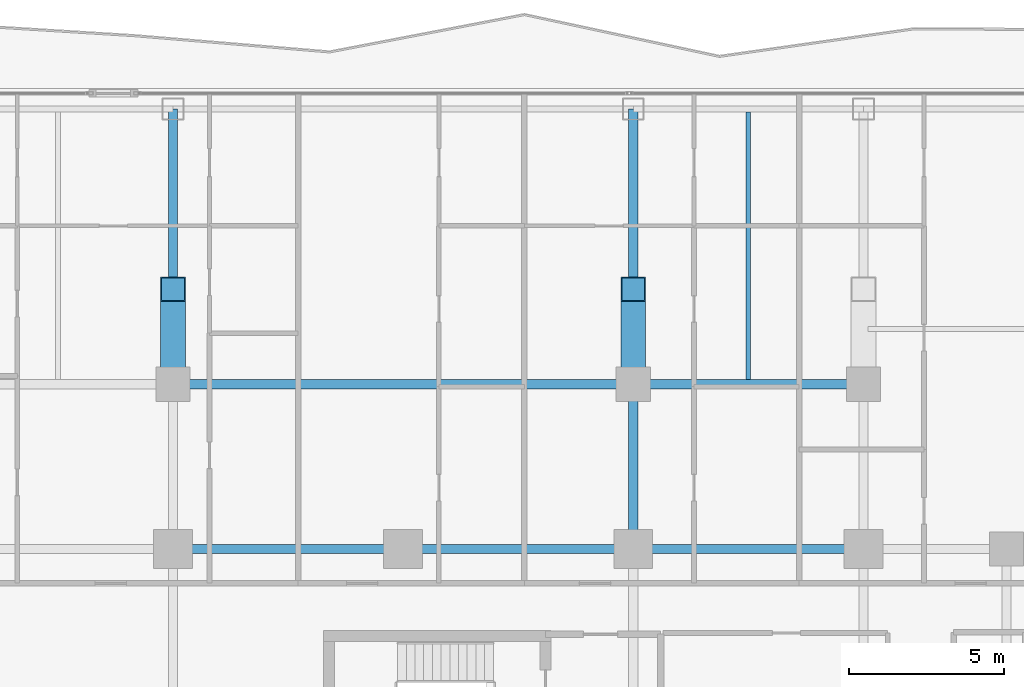
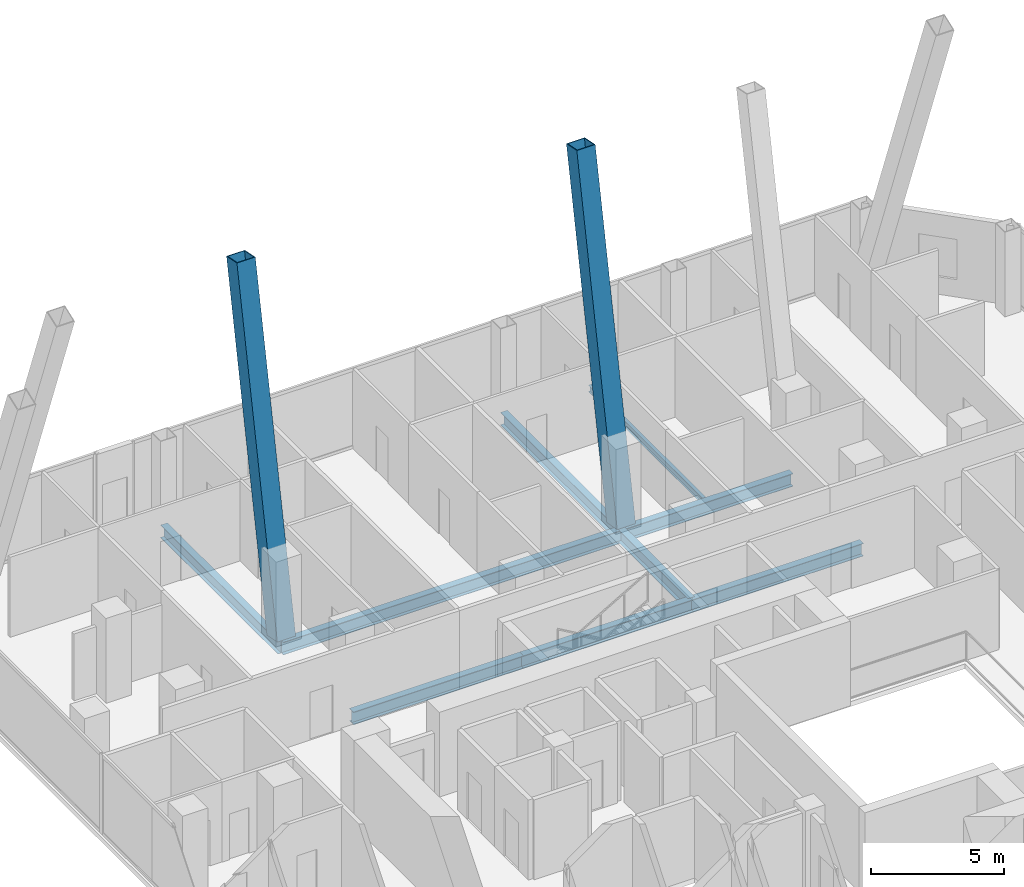
# One storey, part 15 of 28: 9 beams, 2 members.
"""IFC4 building model written with IfcOpenShell, lengths in metres."""

from ifc_helpers import new_model, si_unit, direction, frame, origin, origin_2d, place, context, subcontext, project, spatial, hollow_rectangle, i_section, extrude, material, material_profile, profile_set, type_object, element, save


model = new_model("IFC4")

# Units and contexts
model_context = context("Model", 3, precision=1e-05, world=origin(), true_north=direction((0.0, 1.0)))
body_context = subcontext(model_context, "Body", "Model", "MODEL_VIEW")
ifc_project = project(units=[si_unit("LENGTHUNIT", "METRE"), si_unit("AREAUNIT", "SQUARE_METRE"), si_unit("VOLUMEUNIT", "CUBIC_METRE"), si_unit("PLANEANGLEUNIT", "RADIAN"), si_unit("MASSUNIT", "GRAM", prefix="KILO")], contexts=[model_context])

# Site, building, storey
site_placement = place(None, origin())
site = spatial("IfcSite", under=ifc_project, at=site_placement, CompositionType="ELEMENT")
building_placement = place(site_placement, origin())
building = spatial("IfcBuilding", under=site, at=building_placement, Name="Khorvyn Point Tower", CompositionType="ELEMENT")
storey_placement = place(building_placement, frame((0.0, 0.0, 121.199951171875)))
storey = spatial("IfcBuildingStorey", under=building, at=storey_placement, Name="L30", CompositionType="ELEMENT", Elevation=121.199951171875)

# Beams
ifc_material_1 = material(Name="Steel S355", Category="steel")
ifc_material_profile_1 = material_profile(ifc_material_1, i_section(OverallWidth=0.300048828125, OverallDepth=0.587890625, WebThickness=0.011962890625, FlangeThickness=0.02001953125, at=origin_2d()))
ifc_profile_set_1 = profile_set([ifc_material_profile_1], Name="Steel S355 H588x300x12x20")
beam_type_1 = type_object("IfcBeamType", Name="Steel S355 Beam H588x300x12x20", PredefinedType="BEAM", material=ifc_profile_set_1)
for number, where, z_axis, x_axis, name in (
    (1, (-7.39990234375, 14.800048828125, -0.513916015625), (1.0, 0.0, 0.0), (0.0, 1.0, 0.0), "Beam"),
    (2, (0.0, 14.800048828125, -0.513916015625), (1.0, 0.0, 0.0), (0.0, 1.0, 0.0), "Beam"),
):
    element("IfcBeam", number, at=place(storey_placement, frame(where, z_axis=z_axis, x_axis=x_axis)), inside=storey, type_object=beam_type_1, Name=name, PredefinedType="BEAM", context=body_context, shape_type="SweptSolid", body=[
        extrude(i_section(OverallWidth=0.300048828125, OverallDepth=0.587890625, WebThickness=0.011962890625, FlangeThickness=0.02001953125, at=origin_2d()), origin(), (0.0, 0.0, 1.0), 7.39990234375),
    ])
beam_1_placement = place(storey_placement, frame((7.39990234375, 14.800048828125, -0.513916015625), z_axis=(1.0, 0.0, 0.0), x_axis=(0.0, 1.0, 0.0)))
element("IfcBeam", 3, at=beam_1_placement, inside=storey, type_object=beam_type_1, Name="Beam", PredefinedType="BEAM", context=body_context, shape_type="SweptSolid", body=[
    extrude(i_section(OverallWidth=0.300048828125, OverallDepth=0.587890625, WebThickness=0.011962890625, FlangeThickness=0.02001953125, at=origin_2d()), origin(), (0.0, 0.0, 1.0), 7.400146484375),
])
beam_2_placement = place(storey_placement, frame((-7.39990234375, 20.10009765625, -0.513916015625), z_axis=(1.0, 0.0, 0.0), x_axis=(0.0, 1.0, 0.0)))
element("IfcBeam", 4, at=beam_2_placement, inside=storey, type_object=beam_type_1, Name="Beam", PredefinedType="BEAM", context=body_context, shape_type="SweptSolid", body=[
    extrude(i_section(OverallWidth=0.300048828125, OverallDepth=0.587890625, WebThickness=0.011962890625, FlangeThickness=0.02001953125, at=origin_2d()), origin(), (0.0, 0.0, 1.0), 14.7998046875),
])
beam_3_placement = place(storey_placement, frame((7.39990234375, 20.10009765625, -0.513916015625), z_axis=(1.0, 0.0, 0.0), x_axis=(0.0, 1.0, 0.0)))
element("IfcBeam", 5, at=beam_3_placement, inside=storey, type_object=beam_type_1, Name="Beam", PredefinedType="BEAM", context=body_context, shape_type="SweptSolid", body=[
    extrude(i_section(OverallWidth=0.300048828125, OverallDepth=0.587890625, WebThickness=0.011962890625, FlangeThickness=0.02001953125, at=origin_2d()), origin(), (0.0, 0.0, 1.0), 7.400146484375),
])
beam_4_placement = place(storey_placement, frame((-7.39990234375, 20.10009765625, -0.513916015625), z_axis=(0.0, 1.0, 0.0), x_axis=(-1.0, 0.0, 0.0)))
element("IfcBeam", 6, at=beam_4_placement, inside=storey, type_object=beam_type_1, Name="Beam", PredefinedType="BEAM", context=body_context, shape_type="SweptSolid", body=[
    extrude(i_section(OverallWidth=0.300048828125, OverallDepth=0.587890625, WebThickness=0.011962890625, FlangeThickness=0.02001953125, at=origin_2d()), origin(), (0.0, 0.0, 1.0), 8.849853515625),
])
beam_5_placement = place(storey_placement, frame((7.39990234375, 14.800048828125, -0.513916015625), z_axis=(0.0, 1.0, 0.0), x_axis=(-1.0, 0.0, 0.0)))
element("IfcBeam", 7, at=beam_5_placement, inside=storey, type_object=beam_type_1, Name="Beam", PredefinedType="BEAM", context=body_context, shape_type="SweptSolid", body=[
    extrude(i_section(OverallWidth=0.300048828125, OverallDepth=0.587890625, WebThickness=0.011962890625, FlangeThickness=0.02001953125, at=origin_2d()), origin(), (0.0, 0.0, 1.0), 5.300048828125),
])
beam_6_placement = place(storey_placement, frame((7.39990234375, 20.10009765625, -0.513916015625), z_axis=(0.0, 1.0, 0.0), x_axis=(-1.0, 0.0, 0.0)))
element("IfcBeam", 8, at=beam_6_placement, inside=storey, type_object=beam_type_1, Name="Beam", PredefinedType="BEAM", context=body_context, shape_type="SweptSolid", body=[
    extrude(i_section(OverallWidth=0.300048828125, OverallDepth=0.587890625, WebThickness=0.011962890625, FlangeThickness=0.02001953125, at=origin_2d()), origin(), (0.0, 0.0, 1.0), 8.849853515625),
])
ifc_material_profile_2 = material_profile(ifc_material_1, i_section(OverallWidth=0.14990234375, OverallDepth=0.300048828125, WebThickness=0.006591796875, FlangeThickness=0.009033203125, at=origin_2d()))
ifc_profile_set_2 = profile_set([ifc_material_profile_2], Name="Steel S355 H300x150x6.5x9")
beam_type_2 = type_object("IfcBeamType", Name="Steel S355 Joist H300x150x6.5x9", PredefinedType="JOIST", material=ifc_profile_set_2)
beam_7_placement = place(storey_placement, frame((11.10009765625, 20.25, -0.369873046875), z_axis=(0.0, 1.0, 0.0), x_axis=(-1.0, 0.0, 0.0)))
element("IfcBeam", 9, at=beam_7_placement, inside=storey, type_object=beam_type_2, Name="Beam", PredefinedType="JOIST", context=body_context, shape_type="SweptSolid", body=[
    extrude(i_section(OverallWidth=0.14990234375, OverallDepth=0.300048828125, WebThickness=0.006591796875, FlangeThickness=0.009033203125, at=origin_2d()), origin(), (0.0, 0.0, 1.0), 8.60009765625),
])

# Members
ifc_material_2 = material(Name="Steel S450", Category="steel")
ifc_material_profile_3 = material_profile(ifc_material_2, hollow_rectangle(XDim=0.800048828125, YDim=0.800048828125, WallThickness=0.035888671875, at=origin_2d()))
ifc_profile_set_3 = profile_set([ifc_material_profile_3], Name="Steel S450 BOX800x800x36")
member_type = type_object("IfcMemberType", Name="Steel S450 Exoskeleton Structural Post BOX800x800x36", PredefinedType="POST", material=ifc_profile_set_3)
for number, where, z_axis, x_axis, name in (
    (10, (-7.39990234375, 20.10009765625, 0.0), (0.0, 0.19186689103, 0.981420957656), (-1.0, 0.0, 0.0), "L30 to L34 Exoskeleton Transfer Post 10"),
    (11, (7.39990234375, 20.10009765625, 0.0), (0.0, 0.19186689103, 0.981420957656), (-1.0, 0.0, 0.0), "L30 to L34 Exoskeleton Transfer Post 12"),
):
    element("IfcMember", number, at=place(storey_placement, frame(where, z_axis=z_axis, x_axis=x_axis)), inside=storey, type_object=member_type, Name=name, PredefinedType="POST", context=body_context, shape_type="SweptSolid", body=[
        extrude(hollow_rectangle(XDim=0.800048828125, YDim=0.800048828125, WallThickness=0.035888671875, at=origin_2d()), origin(), (0.0, 0.0, 1.0), 15.8955078125),
    ])

save(model, "model.ifc")
